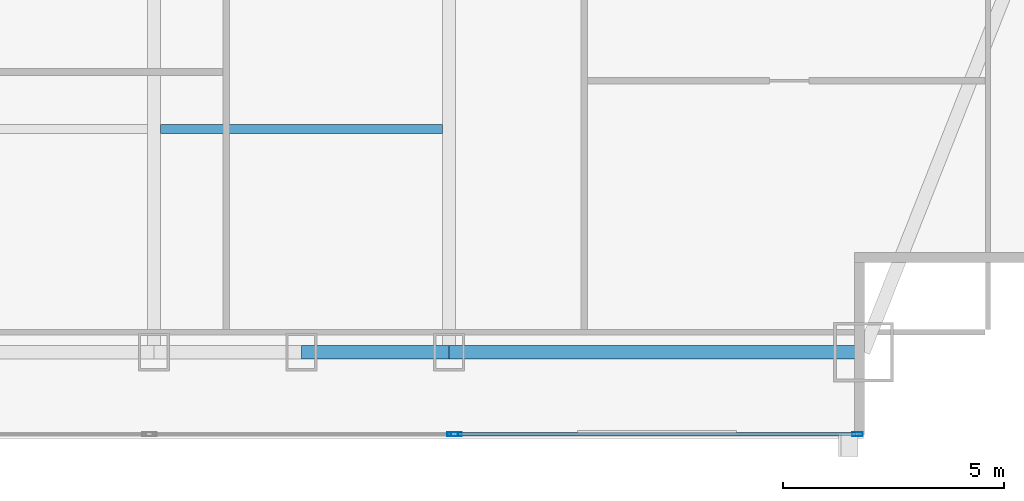
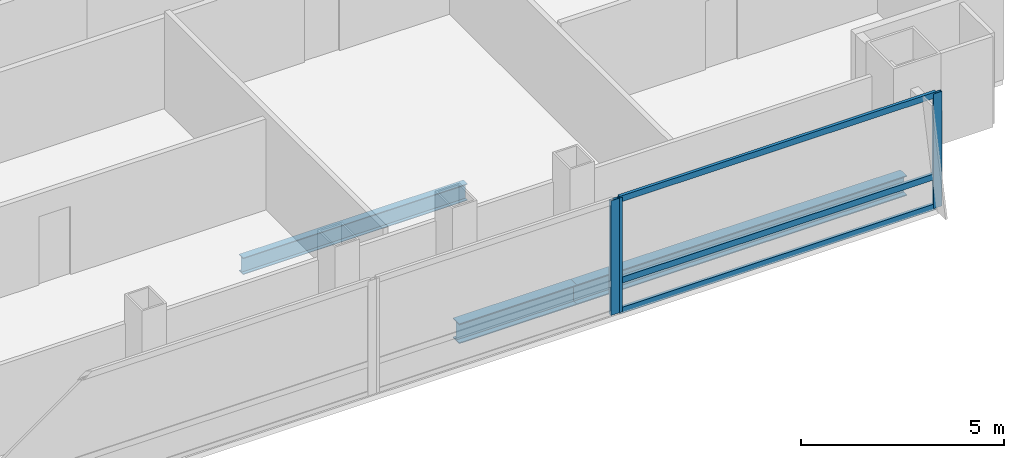
# One storey, part 15 of 29: 6 members, 3 beams, 2 elements without a shape of their own.
"""IFC4 building model written with IfcOpenShell, lengths in metres."""

from ifc_helpers import new_model, si_unit, direction, frame, origin, origin_2d, place, context, subcontext, project, spatial, hollow_rectangle, i_section, extrude, material, material_profile, profile_set, type_object, element, aggregate, save


model = new_model("IFC4")

# Units and contexts
model_context = context("Model", 3, precision=1e-05, world=origin(), true_north=direction((0.0, 1.0)))
body_context = subcontext(model_context, "Body", "Model", "MODEL_VIEW")
ifc_project = project(units=[si_unit("LENGTHUNIT", "METRE"), si_unit("AREAUNIT", "SQUARE_METRE"), si_unit("VOLUMEUNIT", "CUBIC_METRE"), si_unit("PLANEANGLEUNIT", "RADIAN"), si_unit("MASSUNIT", "GRAM", prefix="KILO")], contexts=[model_context])

# Site, building, storey
site_placement = place(None, origin())
site = spatial("IfcSite", under=ifc_project, at=site_placement, CompositionType="ELEMENT")
building_placement = place(site_placement, origin())
building = spatial("IfcBuilding", under=site, at=building_placement, Name="Khoronbel Lancet Exchange", CompositionType="ELEMENT")
storey_placement = place(building_placement, frame((0.0, 0.0, 161.39990234375)))
storey = spatial("IfcBuildingStorey", under=building, at=storey_placement, Name="L40", CompositionType="ELEMENT", Elevation=161.39990234375)

# Beams
ifc_material_1 = material(Name="Steel S355", Category="steel")
ifc_material_profile_1 = material_profile(ifc_material_1, i_section(OverallWidth=0.199951171875, OverallDepth=0.5, WebThickness=0.01025390625, FlangeThickness=0.01611328125, at=origin_2d()), Name="IPE 500")
ifc_profile_set_1 = profile_set([ifc_material_profile_1], Name="Steel S355")
beam_type_1 = type_object("IfcBeamType", Name="BM-BJ3", PredefinedType="JOIST", material=ifc_profile_set_1)
beam_1_placement = place(storey_placement, frame((48.14990234375, 15.199951171875, -0.409912109375), z_axis=(1.0, 0.0, 0.0), x_axis=(0.0, 1.0, 0.0)))
element("IfcBeam", 1, at=beam_1_placement, inside=storey, type_object=beam_type_1, Name="Level L40 secondary composite joist J05", PredefinedType="JOIST", context=body_context, shape_type="SweptSolid", body=[
    extrude(i_section(OverallWidth=0.199951171875, OverallDepth=0.5, WebThickness=0.01025390625, FlangeThickness=0.01611328125, at=origin_2d()), origin(), (0.0, 0.0, 1.0), 6.375),
])
ifc_material_profile_2 = material_profile(ifc_material_1, i_section(OverallWidth=0.300048828125, OverallDepth=0.60009765625, WebThickness=0.015380859375, FlangeThickness=0.030029296875, at=origin_2d()), Name="HEB 600")
ifc_profile_set_2 = profile_set([ifc_material_profile_2], Name="Steel S355")
beam_type_2 = type_object("IfcBeamType", Name="BM-BSP2", PredefinedType="SPANDREL", material=ifc_profile_set_2)
beam_2_placement = place(storey_placement, frame((51.33740234375, 10.14990234375, -0.4599609375), z_axis=(1.0, 0.0, 0.0), x_axis=(0.0, 1.0, 0.0)))
element("IfcBeam", 2, at=beam_2_placement, inside=storey, type_object=beam_type_2, Name="Level L40 perimeter spandrel beam SP08", PredefinedType="SPANDREL", context=body_context, shape_type="SweptSolid", body=[
    extrude(i_section(OverallWidth=0.300048828125, OverallDepth=0.60009765625, WebThickness=0.015380859375, FlangeThickness=0.030029296875, at=origin_2d()), origin(), (0.0, 0.0, 1.0), 3.337646484375),
])
beam_3_placement = place(storey_placement, frame((54.675048828125, 10.14990234375, -0.4599609375), z_axis=(1.0, 0.0, 0.0), x_axis=(0.0, 1.0, 0.0)))
element("IfcBeam", 3, at=beam_3_placement, inside=storey, type_object=beam_type_2, Name="Level L40 perimeter spandrel beam SP09", PredefinedType="SPANDREL", context=body_context, shape_type="SweptSolid", body=[
    extrude(i_section(OverallWidth=0.300048828125, OverallDepth=0.60009765625, WebThickness=0.015380859375, FlangeThickness=0.030029296875, at=origin_2d()), origin(), (0.0, 0.0, 1.0), 9.375),
])

# Curtain wall, member
ifc_material_2 = material(Name="Low-E Solar Control Insulating Glass", Category="glass")
curtain_wall_type = type_object("IfcCurtainWallType", Name="CW-3", PredefinedType="NOTDEFINED", material=ifc_material_2)
curtain_wall_1_placement = place(storey_placement, origin())
curtain_wall_1 = element("IfcCurtainWall", 4, at=curtain_wall_1_placement, inside=storey, type_object=curtain_wall_type, Name="Unitised curtain wall CW-L40-SEB", PredefinedType="NOTDEFINED")
ifc_material_3 = material(Name="Bronze-Anodised Aluminium 6063-T6", Category="aluminium")
ifc_material_profile_3 = material_profile(ifc_material_3, hollow_rectangle(XDim=0.0849609375, YDim=0.239990234375, WallThickness=0.006103515625, at=origin_2d()), Name="ALU MULLION 85x240")
ifc_profile_set_3 = profile_set([ifc_material_profile_3], Name="Bronze-Anodised Aluminium 6063-T6")
member_type_1 = type_object("IfcMemberType", Name="MEM-CWM1", PredefinedType="MULLION", material=ifc_profile_set_3)
member_1_placement = place(storey_placement, frame((54.757568359375, 8.2900390625, 0.0), z_axis=(0.0, 0.0, 1.0), x_axis=(0.0, 1.0, 0.0)))
member_1 = element("IfcMember", 5, at=member_1_placement, type_object=member_type_1, Name="CW3 mullion 2", PredefinedType="MULLION", context=body_context, shape_type="SweptSolid", body=[
    extrude(hollow_rectangle(XDim=0.0849609375, YDim=0.239990234375, WallThickness=0.006103515625, at=origin_2d()), origin(), (0.0, 0.0, 1.0), 3.440185546875),
])
aggregate(curtain_wall_1, [member_1])

# Curtain wall, members
curtain_wall_2_placement = place(storey_placement, origin())
curtain_wall_2 = element("IfcCurtainWall", 6, at=curtain_wall_2_placement, inside=storey, type_object=curtain_wall_type, Name="Unitised curtain wall CW-L40-SEV", PredefinedType="NOTDEFINED")
member_2_placement = place(storey_placement, frame((54.842529296875, 8.2900390625, 0.0), z_axis=(0.0, 0.0, 1.0), x_axis=(0.0, 1.0, 0.0)))
member_2 = element("IfcMember", 7, at=member_2_placement, type_object=member_type_1, Name="CW3 mullion 1", PredefinedType="MULLION", context=body_context, shape_type="SweptSolid", body=[
    extrude(hollow_rectangle(XDim=0.0849609375, YDim=0.239990234375, WallThickness=0.006103515625, at=origin_2d()), origin(), (0.0, 0.0, 1.0), 3.440185546875),
])
member_3_placement = place(storey_placement, frame((63.91748046875, 8.2900390625, 0.0), z_axis=(0.0, 0.0, 1.0), x_axis=(0.0, 1.0, 0.0)))
member_3 = element("IfcMember", 8, at=member_3_placement, type_object=member_type_1, Name="CW3 mullion 2", PredefinedType="MULLION", context=body_context, shape_type="SweptSolid", body=[
    extrude(hollow_rectangle(XDim=0.0849609375, YDim=0.239990234375, WallThickness=0.006103515625, at=origin_2d()), origin(), (0.0, 0.0, 1.0), 3.440185546875),
])
ifc_material_profile_4 = material_profile(ifc_material_3, hollow_rectangle(XDim=0.0849609375, YDim=0.179931640625, WallThickness=0.0048828125, at=origin_2d()), Name="ALU TRANSOM 85x180")
ifc_profile_set_4 = profile_set([ifc_material_profile_4], Name="Bronze-Anodised Aluminium 6063-T6")
member_type_2 = type_object("IfcMemberType", Name="MEM-CWT1", PredefinedType="USERDEFINED", material=ifc_profile_set_4)
member_4_placement = place(storey_placement, frame((54.885009765625, 8.2900390625, 0.04248046875), z_axis=(1.0, 0.0, 0.0), x_axis=(0.0, 1.0, 0.0)))
member_4 = element("IfcMember", 9, at=member_4_placement, type_object=member_type_2, Name="CW3 transom 1.1", ObjectType="TRANSOM", PredefinedType="USERDEFINED", context=body_context, shape_type="SweptSolid", body=[
    extrude(hollow_rectangle(XDim=0.0849609375, YDim=0.179931640625, WallThickness=0.0048828125, at=origin_2d()), origin(), (0.0, 0.0, 1.0), 8.989990234375),
])
member_5_placement = place(storey_placement, frame((54.885009765625, 8.2900390625, 0.9501953125), z_axis=(1.0, 0.0, 0.0), x_axis=(0.0, 1.0, 0.0)))
member_5 = element("IfcMember", 10, at=member_5_placement, type_object=member_type_2, Name="CW3 transom 1.2", ObjectType="TRANSOM", PredefinedType="USERDEFINED", context=body_context, shape_type="SweptSolid", body=[
    extrude(hollow_rectangle(XDim=0.0849609375, YDim=0.179931640625, WallThickness=0.0048828125, at=origin_2d()), origin(), (0.0, 0.0, 1.0), 8.989990234375),
])
member_6_placement = place(storey_placement, frame((54.885009765625, 8.2900390625, 3.397705078125), z_axis=(1.0, 0.0, 0.0), x_axis=(0.0, 1.0, 0.0)))
member_6 = element("IfcMember", 11, at=member_6_placement, type_object=member_type_2, Name="CW3 transom 1.3", ObjectType="TRANSOM", PredefinedType="USERDEFINED", context=body_context, shape_type="SweptSolid", body=[
    extrude(hollow_rectangle(XDim=0.0849609375, YDim=0.179931640625, WallThickness=0.0048828125, at=origin_2d()), origin(), (0.0, 0.0, 1.0), 8.989990234375),
])
aggregate(curtain_wall_2, [member_2, member_3, member_4, member_5, member_6])

save(model, "model.ifc")
